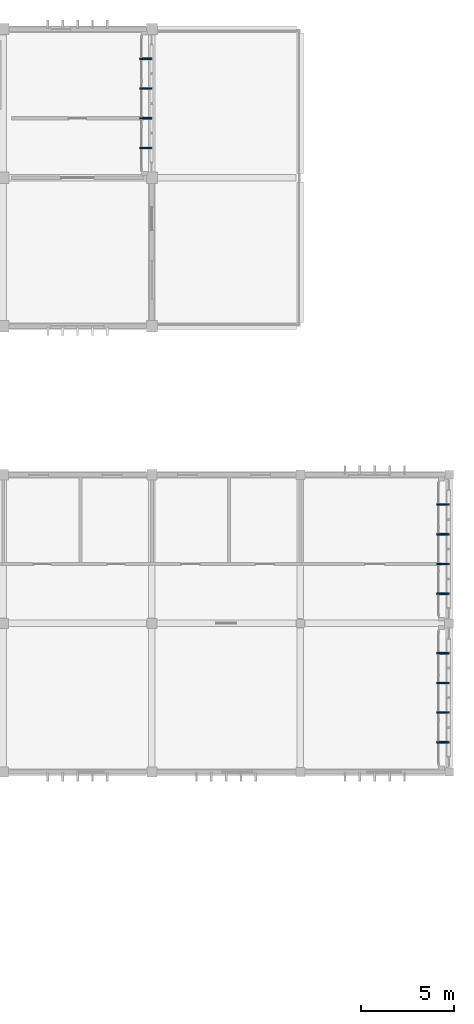
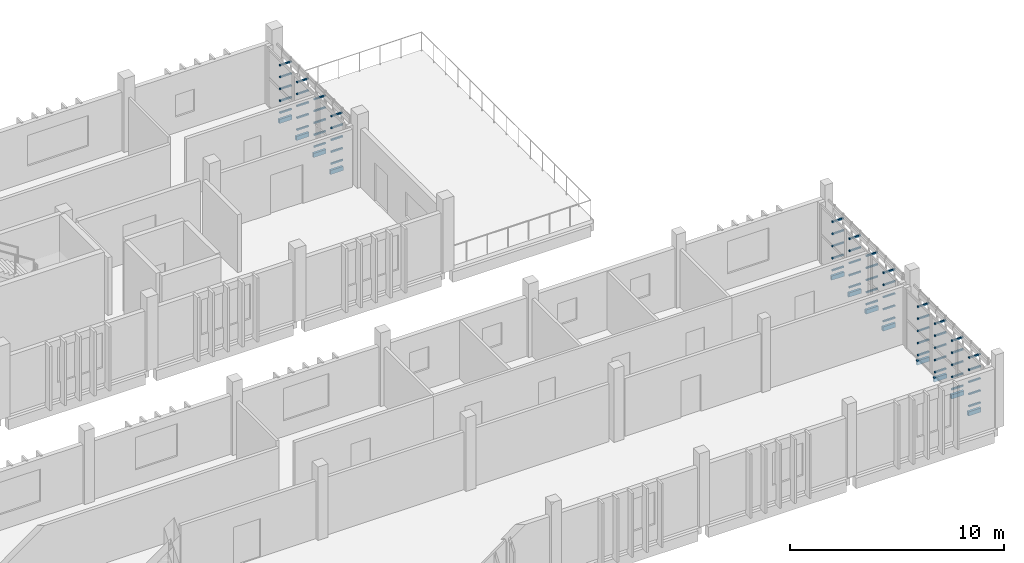
# One storey, part 43 of 48: 72 discrete accessories.
"""IFC4 building model written with IfcOpenShell, lengths in metres."""

from ifc_helpers import new_model, si_unit, direction, frame, origin, origin_2d, place, context, subcontext, project, spatial, rectangle, extrude, material, type_object, element, save


model = new_model("IFC4")

# Units and contexts
model_context = context("Model", 3, precision=1e-05, world=origin(), true_north=direction((0.0, 1.0)))
body_context = subcontext(model_context, "Body", "Model", "MODEL_VIEW")
ifc_project = project(units=[si_unit("LENGTHUNIT", "METRE"), si_unit("AREAUNIT", "SQUARE_METRE"), si_unit("VOLUMEUNIT", "CUBIC_METRE"), si_unit("PLANEANGLEUNIT", "RADIAN"), si_unit("MASSUNIT", "GRAM", prefix="KILO")], contexts=[model_context])

# Site, building, storey
site_placement = place(None, origin())
site = spatial("IfcSite", under=ifc_project, at=site_placement, CompositionType="ELEMENT")
building_placement = place(site_placement, origin())
building = spatial("IfcBuilding", under=site, at=building_placement, Name="Jelvoka-Kovrelna Polytechnic", CompositionType="ELEMENT")
storey_placement = place(building_placement, frame((0.0, 0.0, 22.199951171875)))
storey = spatial("IfcBuildingStorey", under=building, at=storey_placement, Name="L06", CompositionType="ELEMENT", Elevation=22.199951171875)

# Discrete accessories
ifc_material = material(Name="Structural steel S355JR", Category="steel")
discrete_accessory_type = type_object("IfcDiscreteAccessoryType", Name="Bracket_Outrigger_S355", PredefinedType="BRACKET", material=ifc_material)
discrete_accessory_1_placement = place(storey_placement, frame((199.679931640625, 33.60009765625, 0.280029296875), z_axis=(0.0, 0.0, 1.0), x_axis=(1.0, 0.0, 0.0)))
element("IfcDiscreteAccessory", 1, at=discrete_accessory_1_placement, inside=storey, type_object=discrete_accessory_type, Name="L06 screen outrigger tie bracket BRKM-PLT-SCR-0861", PredefinedType="BRACKET", context=body_context, shape_type="SweptSolid", body=[
    extrude(rectangle(XDim=0.639892578125, YDim=0.080078125, at=origin_2d()), origin(), (0.0, 0.0, 1.0), 0.080078125),
])
discrete_accessory_2_placement = place(storey_placement, frame((199.659912109375, 33.60009765625, -0.199951171875), z_axis=(0.0, 0.0, 1.0), x_axis=(1.0, 0.0, 0.0)))
element("IfcDiscreteAccessory", 2, at=discrete_accessory_2_placement, inside=storey, type_object=discrete_accessory_type, Name="L06 screen outrigger tie bracket BRK-PLT-SCR-0861", PredefinedType="BRACKET", context=body_context, shape_type="SweptSolid", body=[
    extrude(rectangle(XDim=0.679931640625, YDim=0.1201171875, at=origin_2d()), origin(), (0.0, 0.0, 1.0), 0.239990234375),
])
for number, where, z_axis, x_axis, name in (
    (3, (199.679931640625, 33.60009765625, 0.972412109375), (0.0, 0.0, 1.0), (1.0, 0.0, 0.0), "L06 screen outrigger tie bracket BRKM-PLT-SCR-0862"),
    (4, (199.679931640625, 33.60009765625, 1.6650390625), (0.0, 0.0, 1.0), (1.0, 0.0, 0.0), "L06 screen outrigger tie bracket BRKM-PLT-SCR-0863"),
    (5, (199.679931640625, 33.60009765625, 2.357421875), (0.0, 0.0, 1.0), (1.0, 0.0, 0.0), "L06 screen outrigger tie bracket BRKM-PLT-SCR-0864"),
    (6, (199.679931640625, 33.60009765625, 3.050048828125), (0.0, 0.0, 1.0), (1.0, 0.0, 0.0), "L06 screen outrigger tie bracket BRKM-PLT-SCR-0865"),
    (7, (199.679931640625, 35.199951171875, 0.280029296875), (0.0, 0.0, 1.0), (1.0, 0.0, 0.0), "L06 screen outrigger tie bracket BRKM-PLT-SCR-0866"),
):
    element("IfcDiscreteAccessory", number, at=place(storey_placement, frame(where, z_axis=z_axis, x_axis=x_axis)), inside=storey, type_object=discrete_accessory_type, Name=name, PredefinedType="BRACKET", context=body_context, shape_type="SweptSolid", body=[
        extrude(rectangle(XDim=0.639892578125, YDim=0.080078125, at=origin_2d()), origin(), (0.0, 0.0, 1.0), 0.080078125),
    ])
discrete_accessory_3_placement = place(storey_placement, frame((199.659912109375, 35.199951171875, -0.199951171875), z_axis=(0.0, 0.0, 1.0), x_axis=(1.0, 0.0, 0.0)))
element("IfcDiscreteAccessory", 8, at=discrete_accessory_3_placement, inside=storey, type_object=discrete_accessory_type, Name="L06 screen outrigger tie bracket BRK-PLT-SCR-0866", PredefinedType="BRACKET", context=body_context, shape_type="SweptSolid", body=[
    extrude(rectangle(XDim=0.679931640625, YDim=0.1201171875, at=origin_2d()), origin(), (0.0, 0.0, 1.0), 0.239990234375),
])
for number, where, z_axis, x_axis, name in (
    (9, (199.679931640625, 35.199951171875, 0.972412109375), (0.0, 0.0, 1.0), (1.0, 0.0, 0.0), "L06 screen outrigger tie bracket BRKM-PLT-SCR-0867"),
    (10, (199.679931640625, 35.199951171875, 1.6650390625), (0.0, 0.0, 1.0), (1.0, 0.0, 0.0), "L06 screen outrigger tie bracket BRKM-PLT-SCR-0868"),
    (11, (199.679931640625, 35.199951171875, 2.357421875), (0.0, 0.0, 1.0), (1.0, 0.0, 0.0), "L06 screen outrigger tie bracket BRKM-PLT-SCR-0869"),
    (12, (199.679931640625, 35.199951171875, 3.050048828125), (0.0, 0.0, 1.0), (1.0, 0.0, 0.0), "L06 screen outrigger tie bracket BRKM-PLT-SCR-0870"),
    (13, (199.679931640625, 36.800048828125, 0.280029296875), (0.0, 0.0, 1.0), (1.0, 0.0, 0.0), "L06 screen outrigger tie bracket BRKM-PLT-SCR-0871"),
):
    element("IfcDiscreteAccessory", number, at=place(storey_placement, frame(where, z_axis=z_axis, x_axis=x_axis)), inside=storey, type_object=discrete_accessory_type, Name=name, PredefinedType="BRACKET", context=body_context, shape_type="SweptSolid", body=[
        extrude(rectangle(XDim=0.639892578125, YDim=0.080078125, at=origin_2d()), origin(), (0.0, 0.0, 1.0), 0.080078125),
    ])
discrete_accessory_4_placement = place(storey_placement, frame((199.659912109375, 36.800048828125, -0.199951171875), z_axis=(0.0, 0.0, 1.0), x_axis=(1.0, 0.0, 0.0)))
element("IfcDiscreteAccessory", 14, at=discrete_accessory_4_placement, inside=storey, type_object=discrete_accessory_type, Name="L06 screen outrigger tie bracket BRK-PLT-SCR-0871", PredefinedType="BRACKET", context=body_context, shape_type="SweptSolid", body=[
    extrude(rectangle(XDim=0.679931640625, YDim=0.1201171875, at=origin_2d()), origin(), (0.0, 0.0, 1.0), 0.239990234375),
])
for number, where, z_axis, x_axis, name in (
    (15, (199.679931640625, 36.800048828125, 0.972412109375), (0.0, 0.0, 1.0), (1.0, 0.0, 0.0), "L06 screen outrigger tie bracket BRKM-PLT-SCR-0872"),
    (16, (199.679931640625, 36.800048828125, 1.6650390625), (0.0, 0.0, 1.0), (1.0, 0.0, 0.0), "L06 screen outrigger tie bracket BRKM-PLT-SCR-0873"),
    (17, (199.679931640625, 36.800048828125, 2.357421875), (0.0, 0.0, 1.0), (1.0, 0.0, 0.0), "L06 screen outrigger tie bracket BRKM-PLT-SCR-0874"),
    (18, (199.679931640625, 36.800048828125, 3.050048828125), (0.0, 0.0, 1.0), (1.0, 0.0, 0.0), "L06 screen outrigger tie bracket BRKM-PLT-SCR-0875"),
    (19, (199.679931640625, 38.39990234375, 0.280029296875), (0.0, 0.0, 1.0), (1.0, 0.0, 0.0), "L06 screen outrigger tie bracket BRKM-PLT-SCR-0876"),
):
    element("IfcDiscreteAccessory", number, at=place(storey_placement, frame(where, z_axis=z_axis, x_axis=x_axis)), inside=storey, type_object=discrete_accessory_type, Name=name, PredefinedType="BRACKET", context=body_context, shape_type="SweptSolid", body=[
        extrude(rectangle(XDim=0.639892578125, YDim=0.080078125, at=origin_2d()), origin(), (0.0, 0.0, 1.0), 0.080078125),
    ])
discrete_accessory_5_placement = place(storey_placement, frame((199.659912109375, 38.39990234375, -0.199951171875), z_axis=(0.0, 0.0, 1.0), x_axis=(1.0, 0.0, 0.0)))
element("IfcDiscreteAccessory", 20, at=discrete_accessory_5_placement, inside=storey, type_object=discrete_accessory_type, Name="L06 screen outrigger tie bracket BRK-PLT-SCR-0876", PredefinedType="BRACKET", context=body_context, shape_type="SweptSolid", body=[
    extrude(rectangle(XDim=0.679931640625, YDim=0.1201171875, at=origin_2d()), origin(), (0.0, 0.0, 1.0), 0.239990234375),
])
for number, where, z_axis, x_axis, name in (
    (21, (199.679931640625, 38.39990234375, 0.972412109375), (0.0, 0.0, 1.0), (1.0, 0.0, 0.0), "L06 screen outrigger tie bracket BRKM-PLT-SCR-0877"),
    (22, (199.679931640625, 38.39990234375, 1.6650390625), (0.0, 0.0, 1.0), (1.0, 0.0, 0.0), "L06 screen outrigger tie bracket BRKM-PLT-SCR-0878"),
    (23, (199.679931640625, 38.39990234375, 2.357421875), (0.0, 0.0, 1.0), (1.0, 0.0, 0.0), "L06 screen outrigger tie bracket BRKM-PLT-SCR-0879"),
    (24, (199.679931640625, 38.39990234375, 3.050048828125), (0.0, 0.0, 1.0), (1.0, 0.0, 0.0), "L06 screen outrigger tie bracket BRKM-PLT-SCR-0880"),
    (25, (199.679931640625, 41.60009765625, 0.280029296875), (0.0, 0.0, 1.0), (1.0, 0.0, 0.0), "L06 screen outrigger tie bracket BRKM-PLT-SCR-0881"),
):
    element("IfcDiscreteAccessory", number, at=place(storey_placement, frame(where, z_axis=z_axis, x_axis=x_axis)), inside=storey, type_object=discrete_accessory_type, Name=name, PredefinedType="BRACKET", context=body_context, shape_type="SweptSolid", body=[
        extrude(rectangle(XDim=0.639892578125, YDim=0.080078125, at=origin_2d()), origin(), (0.0, 0.0, 1.0), 0.080078125),
    ])
discrete_accessory_6_placement = place(storey_placement, frame((199.659912109375, 41.60009765625, -0.199951171875), z_axis=(0.0, 0.0, 1.0), x_axis=(1.0, 0.0, 0.0)))
element("IfcDiscreteAccessory", 26, at=discrete_accessory_6_placement, inside=storey, type_object=discrete_accessory_type, Name="L06 screen outrigger tie bracket BRK-PLT-SCR-0881", PredefinedType="BRACKET", context=body_context, shape_type="SweptSolid", body=[
    extrude(rectangle(XDim=0.679931640625, YDim=0.1201171875, at=origin_2d()), origin(), (0.0, 0.0, 1.0), 0.239990234375),
])
for number, where, z_axis, x_axis, name in (
    (27, (199.679931640625, 41.60009765625, 0.972412109375), (0.0, 0.0, 1.0), (1.0, 0.0, 0.0), "L06 screen outrigger tie bracket BRKM-PLT-SCR-0882"),
    (28, (199.679931640625, 41.60009765625, 1.6650390625), (0.0, 0.0, 1.0), (1.0, 0.0, 0.0), "L06 screen outrigger tie bracket BRKM-PLT-SCR-0883"),
    (29, (199.679931640625, 41.60009765625, 2.357421875), (0.0, 0.0, 1.0), (1.0, 0.0, 0.0), "L06 screen outrigger tie bracket BRKM-PLT-SCR-0884"),
    (30, (199.679931640625, 41.60009765625, 3.050048828125), (0.0, 0.0, 1.0), (1.0, 0.0, 0.0), "L06 screen outrigger tie bracket BRKM-PLT-SCR-0885"),
    (31, (199.679931640625, 43.199951171875, 0.280029296875), (0.0, 0.0, 1.0), (1.0, 0.0, 0.0), "L06 screen outrigger tie bracket BRKM-PLT-SCR-0886"),
):
    element("IfcDiscreteAccessory", number, at=place(storey_placement, frame(where, z_axis=z_axis, x_axis=x_axis)), inside=storey, type_object=discrete_accessory_type, Name=name, PredefinedType="BRACKET", context=body_context, shape_type="SweptSolid", body=[
        extrude(rectangle(XDim=0.639892578125, YDim=0.080078125, at=origin_2d()), origin(), (0.0, 0.0, 1.0), 0.080078125),
    ])
discrete_accessory_7_placement = place(storey_placement, frame((199.659912109375, 43.199951171875, -0.199951171875), z_axis=(0.0, 0.0, 1.0), x_axis=(1.0, 0.0, 0.0)))
element("IfcDiscreteAccessory", 32, at=discrete_accessory_7_placement, inside=storey, type_object=discrete_accessory_type, Name="L06 screen outrigger tie bracket BRK-PLT-SCR-0886", PredefinedType="BRACKET", context=body_context, shape_type="SweptSolid", body=[
    extrude(rectangle(XDim=0.679931640625, YDim=0.1201171875, at=origin_2d()), origin(), (0.0, 0.0, 1.0), 0.239990234375),
])
for number, where, z_axis, x_axis, name in (
    (33, (199.679931640625, 43.199951171875, 0.972412109375), (0.0, 0.0, 1.0), (1.0, 0.0, 0.0), "L06 screen outrigger tie bracket BRKM-PLT-SCR-0887"),
    (34, (199.679931640625, 43.199951171875, 1.6650390625), (0.0, 0.0, 1.0), (1.0, 0.0, 0.0), "L06 screen outrigger tie bracket BRKM-PLT-SCR-0888"),
    (35, (199.679931640625, 43.199951171875, 2.357421875), (0.0, 0.0, 1.0), (1.0, 0.0, 0.0), "L06 screen outrigger tie bracket BRKM-PLT-SCR-0889"),
    (36, (199.679931640625, 43.199951171875, 3.050048828125), (0.0, 0.0, 1.0), (1.0, 0.0, 0.0), "L06 screen outrigger tie bracket BRKM-PLT-SCR-0890"),
    (37, (199.679931640625, 44.800048828125, 0.280029296875), (0.0, 0.0, 1.0), (1.0, 0.0, 0.0), "L06 screen outrigger tie bracket BRKM-PLT-SCR-0891"),
):
    element("IfcDiscreteAccessory", number, at=place(storey_placement, frame(where, z_axis=z_axis, x_axis=x_axis)), inside=storey, type_object=discrete_accessory_type, Name=name, PredefinedType="BRACKET", context=body_context, shape_type="SweptSolid", body=[
        extrude(rectangle(XDim=0.639892578125, YDim=0.080078125, at=origin_2d()), origin(), (0.0, 0.0, 1.0), 0.080078125),
    ])
discrete_accessory_8_placement = place(storey_placement, frame((199.659912109375, 44.800048828125, -0.199951171875), z_axis=(0.0, 0.0, 1.0), x_axis=(1.0, 0.0, 0.0)))
element("IfcDiscreteAccessory", 38, at=discrete_accessory_8_placement, inside=storey, type_object=discrete_accessory_type, Name="L06 screen outrigger tie bracket BRK-PLT-SCR-0891", PredefinedType="BRACKET", context=body_context, shape_type="SweptSolid", body=[
    extrude(rectangle(XDim=0.679931640625, YDim=0.1201171875, at=origin_2d()), origin(), (0.0, 0.0, 1.0), 0.239990234375),
])
for number, where, z_axis, x_axis, name in (
    (39, (199.679931640625, 44.800048828125, 0.972412109375), (0.0, 0.0, 1.0), (1.0, 0.0, 0.0), "L06 screen outrigger tie bracket BRKM-PLT-SCR-0892"),
    (40, (199.679931640625, 44.800048828125, 1.6650390625), (0.0, 0.0, 1.0), (1.0, 0.0, 0.0), "L06 screen outrigger tie bracket BRKM-PLT-SCR-0893"),
    (41, (199.679931640625, 44.800048828125, 2.357421875), (0.0, 0.0, 1.0), (1.0, 0.0, 0.0), "L06 screen outrigger tie bracket BRKM-PLT-SCR-0894"),
    (42, (199.679931640625, 44.800048828125, 3.050048828125), (0.0, 0.0, 1.0), (1.0, 0.0, 0.0), "L06 screen outrigger tie bracket BRKM-PLT-SCR-0895"),
    (43, (199.679931640625, 46.39990234375, 0.280029296875), (0.0, 0.0, 1.0), (1.0, 0.0, 0.0), "L06 screen outrigger tie bracket BRKM-PLT-SCR-0896"),
):
    element("IfcDiscreteAccessory", number, at=place(storey_placement, frame(where, z_axis=z_axis, x_axis=x_axis)), inside=storey, type_object=discrete_accessory_type, Name=name, PredefinedType="BRACKET", context=body_context, shape_type="SweptSolid", body=[
        extrude(rectangle(XDim=0.639892578125, YDim=0.080078125, at=origin_2d()), origin(), (0.0, 0.0, 1.0), 0.080078125),
    ])
discrete_accessory_9_placement = place(storey_placement, frame((199.659912109375, 46.39990234375, -0.199951171875), z_axis=(0.0, 0.0, 1.0), x_axis=(1.0, 0.0, 0.0)))
element("IfcDiscreteAccessory", 44, at=discrete_accessory_9_placement, inside=storey, type_object=discrete_accessory_type, Name="L06 screen outrigger tie bracket BRK-PLT-SCR-0896", PredefinedType="BRACKET", context=body_context, shape_type="SweptSolid", body=[
    extrude(rectangle(XDim=0.679931640625, YDim=0.1201171875, at=origin_2d()), origin(), (0.0, 0.0, 1.0), 0.239990234375),
])
for number, where, z_axis, x_axis, name in (
    (45, (199.679931640625, 46.39990234375, 0.972412109375), (0.0, 0.0, 1.0), (1.0, 0.0, 0.0), "L06 screen outrigger tie bracket BRKM-PLT-SCR-0897"),
    (46, (199.679931640625, 46.39990234375, 1.6650390625), (0.0, 0.0, 1.0), (1.0, 0.0, 0.0), "L06 screen outrigger tie bracket BRKM-PLT-SCR-0898"),
    (47, (199.679931640625, 46.39990234375, 2.357421875), (0.0, 0.0, 1.0), (1.0, 0.0, 0.0), "L06 screen outrigger tie bracket BRKM-PLT-SCR-0899"),
    (48, (199.679931640625, 46.39990234375, 3.050048828125), (0.0, 0.0, 1.0), (1.0, 0.0, 0.0), "L06 screen outrigger tie bracket BRKM-PLT-SCR-0900"),
    (49, (183.679931640625, 65.60009765625, 0.340087890625), (0.0, 0.0, 1.0), (1.0, 0.0, 0.0), "L06 screen outrigger tie bracket BRKM-PLT-SCR-1181"),
):
    element("IfcDiscreteAccessory", number, at=place(storey_placement, frame(where, z_axis=z_axis, x_axis=x_axis)), inside=storey, type_object=discrete_accessory_type, Name=name, PredefinedType="BRACKET", context=body_context, shape_type="SweptSolid", body=[
        extrude(rectangle(XDim=0.639892578125, YDim=0.080078125, at=origin_2d()), origin(), (0.0, 0.0, 1.0), 0.080078125),
    ])
discrete_accessory_10_placement = place(storey_placement, frame((183.659912109375, 65.60009765625, -0.199951171875), z_axis=(0.0, 0.0, 1.0), x_axis=(1.0, 0.0, 0.0)))
element("IfcDiscreteAccessory", 50, at=discrete_accessory_10_placement, inside=storey, type_object=discrete_accessory_type, Name="L06 screen outrigger tie bracket BRK-PLT-SCR-1181", PredefinedType="BRACKET", context=body_context, shape_type="SweptSolid", body=[
    extrude(rectangle(XDim=0.679931640625, YDim=0.1201171875, at=origin_2d()), origin(), (0.0, 0.0, 1.0), 0.239990234375),
])
for number, where, z_axis, x_axis, name in (
    (51, (183.679931640625, 65.60009765625, 1.017578125), (0.0, 0.0, 1.0), (1.0, 0.0, 0.0), "L06 screen outrigger tie bracket BRKM-PLT-SCR-1182"),
    (52, (183.679931640625, 65.60009765625, 1.695068359375), (0.0, 0.0, 1.0), (1.0, 0.0, 0.0), "L06 screen outrigger tie bracket BRKM-PLT-SCR-1183"),
    (53, (183.679931640625, 65.60009765625, 2.37255859375), (0.0, 0.0, 1.0), (1.0, 0.0, 0.0), "L06 screen outrigger tie bracket BRKM-PLT-SCR-1184"),
    (54, (183.679931640625, 65.60009765625, 3.050048828125), (0.0, 0.0, 1.0), (1.0, 0.0, 0.0), "L06 screen outrigger tie bracket BRKM-PLT-SCR-1185"),
    (55, (183.679931640625, 67.199951171875, 0.340087890625), (0.0, 0.0, 1.0), (1.0, 0.0, 0.0), "L06 screen outrigger tie bracket BRKM-PLT-SCR-1186"),
):
    element("IfcDiscreteAccessory", number, at=place(storey_placement, frame(where, z_axis=z_axis, x_axis=x_axis)), inside=storey, type_object=discrete_accessory_type, Name=name, PredefinedType="BRACKET", context=body_context, shape_type="SweptSolid", body=[
        extrude(rectangle(XDim=0.639892578125, YDim=0.080078125, at=origin_2d()), origin(), (0.0, 0.0, 1.0), 0.080078125),
    ])
discrete_accessory_11_placement = place(storey_placement, frame((183.659912109375, 67.199951171875, -0.199951171875), z_axis=(0.0, 0.0, 1.0), x_axis=(1.0, 0.0, 0.0)))
element("IfcDiscreteAccessory", 56, at=discrete_accessory_11_placement, inside=storey, type_object=discrete_accessory_type, Name="L06 screen outrigger tie bracket BRK-PLT-SCR-1186", PredefinedType="BRACKET", context=body_context, shape_type="SweptSolid", body=[
    extrude(rectangle(XDim=0.679931640625, YDim=0.1201171875, at=origin_2d()), origin(), (0.0, 0.0, 1.0), 0.239990234375),
])
for number, where, z_axis, x_axis, name in (
    (57, (183.679931640625, 67.199951171875, 1.017578125), (0.0, 0.0, 1.0), (1.0, 0.0, 0.0), "L06 screen outrigger tie bracket BRKM-PLT-SCR-1187"),
    (58, (183.679931640625, 67.199951171875, 1.695068359375), (0.0, 0.0, 1.0), (1.0, 0.0, 0.0), "L06 screen outrigger tie bracket BRKM-PLT-SCR-1188"),
    (59, (183.679931640625, 67.199951171875, 2.37255859375), (0.0, 0.0, 1.0), (1.0, 0.0, 0.0), "L06 screen outrigger tie bracket BRKM-PLT-SCR-1189"),
    (60, (183.679931640625, 67.199951171875, 3.050048828125), (0.0, 0.0, 1.0), (1.0, 0.0, 0.0), "L06 screen outrigger tie bracket BRKM-PLT-SCR-1190"),
    (61, (183.679931640625, 68.800048828125, 0.340087890625), (0.0, 0.0, 1.0), (1.0, 0.0, 0.0), "L06 screen outrigger tie bracket BRKM-PLT-SCR-1191"),
):
    element("IfcDiscreteAccessory", number, at=place(storey_placement, frame(where, z_axis=z_axis, x_axis=x_axis)), inside=storey, type_object=discrete_accessory_type, Name=name, PredefinedType="BRACKET", context=body_context, shape_type="SweptSolid", body=[
        extrude(rectangle(XDim=0.639892578125, YDim=0.080078125, at=origin_2d()), origin(), (0.0, 0.0, 1.0), 0.080078125),
    ])
discrete_accessory_12_placement = place(storey_placement, frame((183.659912109375, 68.800048828125, -0.199951171875), z_axis=(0.0, 0.0, 1.0), x_axis=(1.0, 0.0, 0.0)))
element("IfcDiscreteAccessory", 62, at=discrete_accessory_12_placement, inside=storey, type_object=discrete_accessory_type, Name="L06 screen outrigger tie bracket BRK-PLT-SCR-1191", PredefinedType="BRACKET", context=body_context, shape_type="SweptSolid", body=[
    extrude(rectangle(XDim=0.679931640625, YDim=0.1201171875, at=origin_2d()), origin(), (0.0, 0.0, 1.0), 0.239990234375),
])
for number, where, z_axis, x_axis, name in (
    (63, (183.679931640625, 68.800048828125, 1.017578125), (0.0, 0.0, 1.0), (1.0, 0.0, 0.0), "L06 screen outrigger tie bracket BRKM-PLT-SCR-1192"),
    (64, (183.679931640625, 68.800048828125, 1.695068359375), (0.0, 0.0, 1.0), (1.0, 0.0, 0.0), "L06 screen outrigger tie bracket BRKM-PLT-SCR-1193"),
    (65, (183.679931640625, 68.800048828125, 2.37255859375), (0.0, 0.0, 1.0), (1.0, 0.0, 0.0), "L06 screen outrigger tie bracket BRKM-PLT-SCR-1194"),
    (66, (183.679931640625, 68.800048828125, 3.050048828125), (0.0, 0.0, 1.0), (1.0, 0.0, 0.0), "L06 screen outrigger tie bracket BRKM-PLT-SCR-1195"),
    (67, (183.679931640625, 70.39990234375, 0.340087890625), (0.0, 0.0, 1.0), (1.0, 0.0, 0.0), "L06 screen outrigger tie bracket BRKM-PLT-SCR-1196"),
):
    element("IfcDiscreteAccessory", number, at=place(storey_placement, frame(where, z_axis=z_axis, x_axis=x_axis)), inside=storey, type_object=discrete_accessory_type, Name=name, PredefinedType="BRACKET", context=body_context, shape_type="SweptSolid", body=[
        extrude(rectangle(XDim=0.639892578125, YDim=0.080078125, at=origin_2d()), origin(), (0.0, 0.0, 1.0), 0.080078125),
    ])
discrete_accessory_13_placement = place(storey_placement, frame((183.659912109375, 70.39990234375, -0.199951171875), z_axis=(0.0, 0.0, 1.0), x_axis=(1.0, 0.0, 0.0)))
element("IfcDiscreteAccessory", 68, at=discrete_accessory_13_placement, inside=storey, type_object=discrete_accessory_type, Name="L06 screen outrigger tie bracket BRK-PLT-SCR-1196", PredefinedType="BRACKET", context=body_context, shape_type="SweptSolid", body=[
    extrude(rectangle(XDim=0.679931640625, YDim=0.1201171875, at=origin_2d()), origin(), (0.0, 0.0, 1.0), 0.239990234375),
])
for number, where, z_axis, x_axis, name in (
    (69, (183.679931640625, 70.39990234375, 1.017578125), (0.0, 0.0, 1.0), (1.0, 0.0, 0.0), "L06 screen outrigger tie bracket BRKM-PLT-SCR-1197"),
    (70, (183.679931640625, 70.39990234375, 1.695068359375), (0.0, 0.0, 1.0), (1.0, 0.0, 0.0), "L06 screen outrigger tie bracket BRKM-PLT-SCR-1198"),
    (71, (183.679931640625, 70.39990234375, 2.37255859375), (0.0, 0.0, 1.0), (1.0, 0.0, 0.0), "L06 screen outrigger tie bracket BRKM-PLT-SCR-1199"),
    (72, (183.679931640625, 70.39990234375, 3.050048828125), (0.0, 0.0, 1.0), (1.0, 0.0, 0.0), "L06 screen outrigger tie bracket BRKM-PLT-SCR-1200"),
):
    element("IfcDiscreteAccessory", number, at=place(storey_placement, frame(where, z_axis=z_axis, x_axis=x_axis)), inside=storey, type_object=discrete_accessory_type, Name=name, PredefinedType="BRACKET", context=body_context, shape_type="SweptSolid", body=[
        extrude(rectangle(XDim=0.639892578125, YDim=0.080078125, at=origin_2d()), origin(), (0.0, 0.0, 1.0), 0.080078125),
    ])

save(model, "model.ifc")
